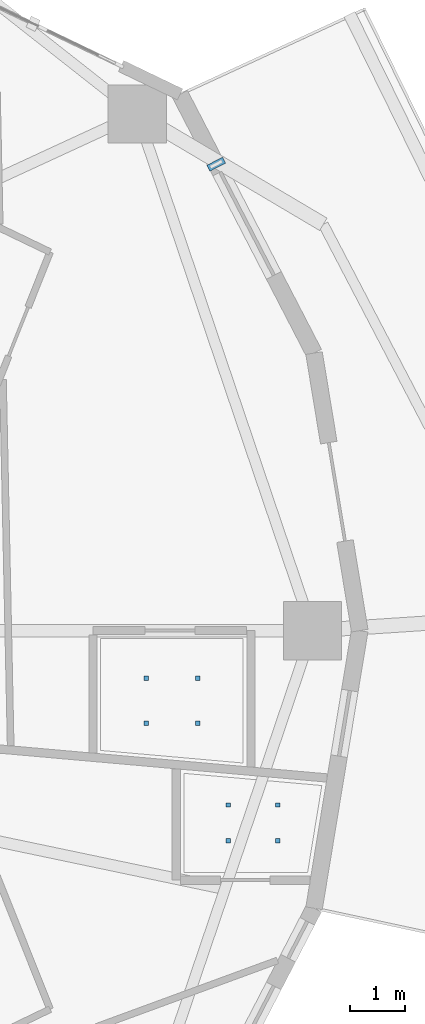
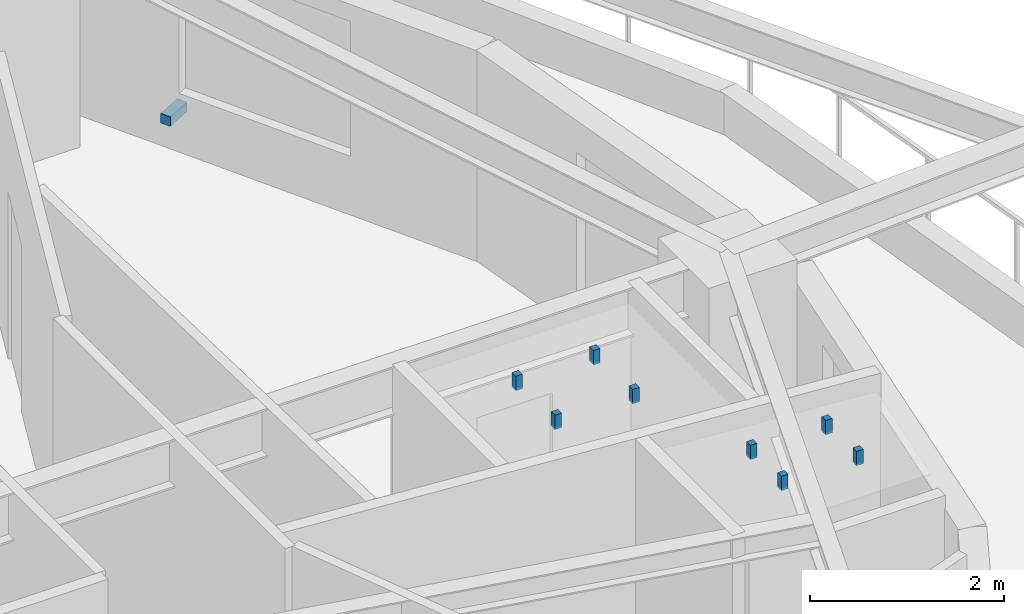
# One storey, part 11 of 15: 9 discrete accessories.
"""IFC4 building model written with IfcOpenShell, lengths in metres."""

from ifc_helpers import new_model, si_unit, direction, frame, origin, origin_2d, place, context, subcontext, project, spatial, rectangle, extrude, material, type_object, element, save


model = new_model("IFC4")

# Units and contexts
model_context = context("Model", 3, precision=1e-05, world=origin(), true_north=direction((0.0, 1.0)))
body_context = subcontext(model_context, "Body", "Model", "MODEL_VIEW")
ifc_project = project(units=[si_unit("LENGTHUNIT", "METRE"), si_unit("AREAUNIT", "SQUARE_METRE"), si_unit("VOLUMEUNIT", "CUBIC_METRE"), si_unit("PLANEANGLEUNIT", "RADIAN"), si_unit("MASSUNIT", "GRAM", prefix="KILO")], contexts=[model_context])

# Site, building, storey
site_placement = place(None, origin())
site = spatial("IfcSite", under=ifc_project, at=site_placement, CompositionType="ELEMENT")
building_placement = place(site_placement, origin())
building = spatial("IfcBuilding", under=site, at=building_placement, Name="Kolvaren Gate Tower and Convention Centre", CompositionType="ELEMENT")
storey_placement = place(building_placement, frame((0.0, 0.0, 129.10009765625)))
storey = spatial("IfcBuildingStorey", under=building, at=storey_placement, Name="L32", CompositionType="ELEMENT", Elevation=129.10009765625)

# Discrete accessories
ifc_material_1 = material(Name="Anodized Architectural Aluminium Alloy 6063-T6", Category="aluminium")
discrete_accessory_type_1 = type_object("IfcDiscreteAccessoryType", Name="ARCH-ACC-BRACKET-120", PredefinedType="BRACKET", material=ifc_material_1)
discrete_accessory_placement = place(storey_placement, frame((51.72412109375, 35.415771484375, 0.289794921875), z_axis=(0.0, 0.0, 1.0), x_axis=(0.459781360558, -0.888032150591, 0.0)))
element("IfcDiscreteAccessory", 1, at=discrete_accessory_placement, inside=storey, type_object=discrete_accessory_type_1, Name="Ceramic Fin Wall Anchor Bracket FBK-L32-01", PredefinedType="BRACKET", context=body_context, shape_type="SweptSolid", body=[
    extrude(rectangle(XDim=0.1201171875, YDim=0.320068359375, at=origin_2d()), origin(), (0.0, 0.0, 1.0), 0.1201171875),
])
ifc_material_2 = material(Name="Brushed Stainless Steel Grade 316L", Category="steel")
discrete_accessory_type_2 = type_object("IfcDiscreteAccessoryType", Name="ARCH-ACC-HANGER-80", PredefinedType="BRACKET", material=ifc_material_2)
for number, where, z_axis, x_axis, name in (
    (2, (51.93701171875, 23.2119140625, 2.94970703125), (0.0, 0.0, 1.0), (1.0, 0.0, 0.0), "En-suite Bathroom (HTL-L32-05) Ceiling Suspension Hanger Clip 1"),
    (3, (52.8330078125, 23.2119140625, 2.94970703125), (0.0, 0.0, 1.0), (1.0, 0.0, 0.0), "En-suite Bathroom (HTL-L32-05) Ceiling Suspension Hanger Clip 2"),
    (4, (51.93701171875, 23.85498046875, 2.94970703125), (0.0, 0.0, 1.0), (1.0, 0.0, 0.0), "En-suite Bathroom (HTL-L32-05) Ceiling Suspension Hanger Clip 3"),
    (5, (52.8330078125, 23.85498046875, 2.94970703125), (0.0, 0.0, 1.0), (1.0, 0.0, 0.0), "En-suite Bathroom (HTL-L32-05) Ceiling Suspension Hanger Clip 4"),
    (6, (50.4619140625, 25.33203125, 2.94970703125), (0.0, 0.0, 1.0), (1.0, 0.0, 0.0), "En-suite Bathroom (HTL-L32-07) Ceiling Suspension Hanger Clip 1"),
    (7, (51.387939453125, 25.33203125, 2.94970703125), (0.0, 0.0, 1.0), (1.0, 0.0, 0.0), "En-suite Bathroom (HTL-L32-07) Ceiling Suspension Hanger Clip 2"),
    (8, (50.4619140625, 26.14208984375, 2.94970703125), (0.0, 0.0, 1.0), (1.0, 0.0, 0.0), "En-suite Bathroom (HTL-L32-07) Ceiling Suspension Hanger Clip 3"),
    (9, (51.387939453125, 26.14208984375, 2.94970703125), (0.0, 0.0, 1.0), (1.0, 0.0, 0.0), "En-suite Bathroom (HTL-L32-07) Ceiling Suspension Hanger Clip 4"),
):
    element("IfcDiscreteAccessory", number, at=place(storey_placement, frame(where, z_axis=z_axis, x_axis=x_axis)), inside=storey, type_object=discrete_accessory_type_2, Name=name, PredefinedType="BRACKET", context=body_context, shape_type="SweptSolid", body=[
        extrude(rectangle(XDim=0.080078125, YDim=0.080078125, at=origin_2d()), origin(), (0.0, 0.0, 1.0), 0.179931640625),
    ])

save(model, "model.ifc")
